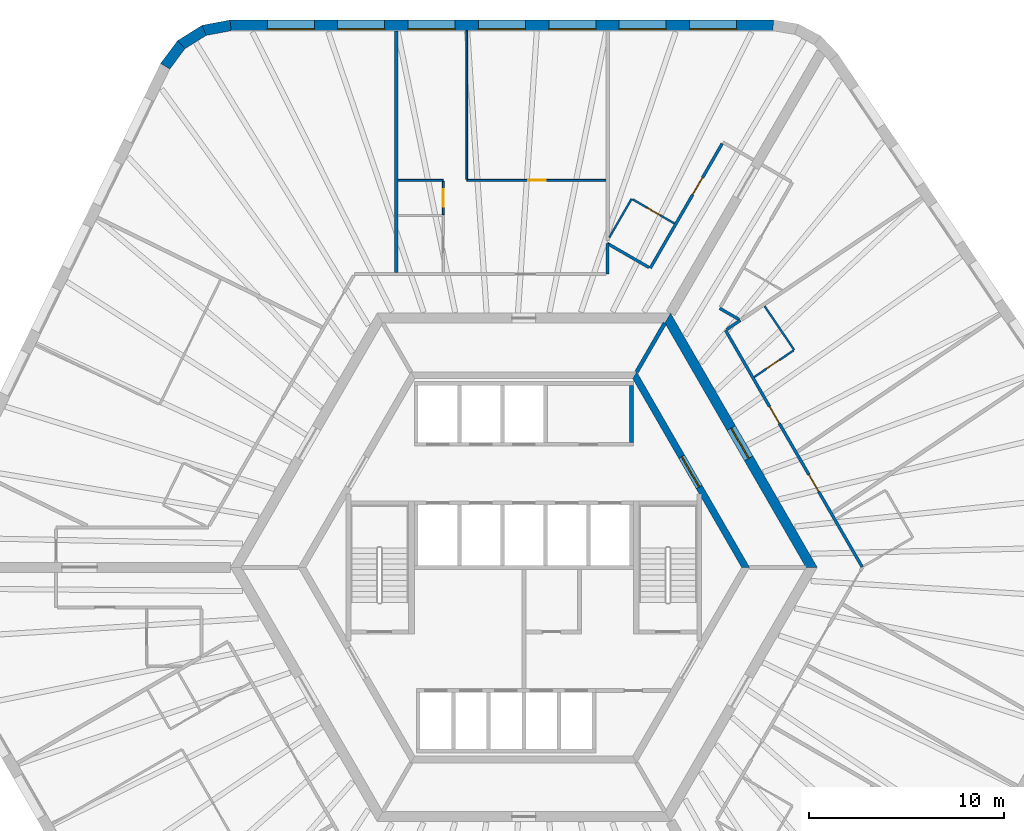
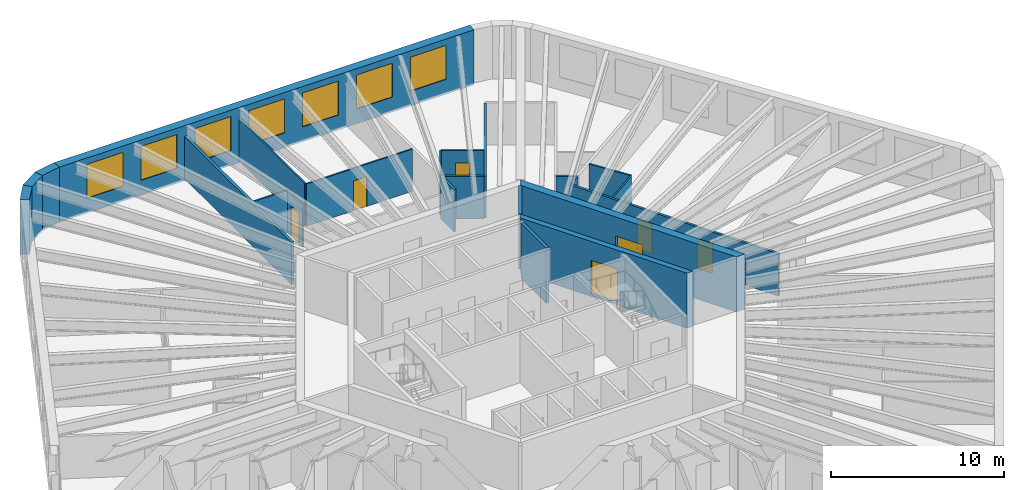
# One storey, part 8 of 10: 23 walls, 9 doors, 7 windows, 16 openings.
"""IFC4 building model written with IfcOpenShell, lengths in metres."""

from ifc_helpers import new_model, si_unit, direction, frame, frame_2d, origin, place, context, subcontext, project, spatial, polyline, rectangle, outline, extrude, material, layer, layer_set, type_object, element, fill, save


model = new_model("IFC4")

# Units and contexts
model_context = context("Model", 3, precision=1e-05, world=origin(), true_north=direction((0.0, 1.0)))
body_context = subcontext(model_context, "Body", "Model", "MODEL_VIEW")
ifc_project = project(units=[si_unit("LENGTHUNIT", "METRE"), si_unit("AREAUNIT", "SQUARE_METRE"), si_unit("VOLUMEUNIT", "CUBIC_METRE"), si_unit("PLANEANGLEUNIT", "RADIAN"), si_unit("MASSUNIT", "GRAM", prefix="KILO")], contexts=[model_context])

# Site, building, storey
site_placement = place(None, origin())
site = spatial("IfcSite", under=ifc_project, at=site_placement, CompositionType="ELEMENT")
building_placement = place(site_placement, origin())
building = spatial("IfcBuilding", under=site, at=building_placement, Name="Tarnside Tower", CompositionType="ELEMENT")
storey_placement = place(building_placement, frame((0.0, 0.0, 203.39990234375)))
storey = spatial("IfcBuildingStorey", under=building, at=storey_placement, Name="L48", CompositionType="ELEMENT", Elevation=203.39990234375)

# Wall
ifc_material_1 = material(Name="Gypsum board partition on steel studs", Category="steel")
ifc_layer_1 = layer(ifc_material_1, 0.10009765625)
ifc_layer_set_1 = layer_set([ifc_layer_1], Name="Bathroom wall 100")
wall_type_1 = type_object("IfcWallType", Name="Bathroom wall 100", PredefinedType="PARTITIONING", material=ifc_layer_set_1)
wall_1_placement = place(storey_placement, frame((4.3720703125, 16.872802734375, 0.0), z_axis=(0.0, 0.0, 1.0), x_axis=(0.500005641832, 0.866022146447, 0.0)))
element("IfcWall", 1, at=wall_1_placement, inside=storey, type_object=wall_type_1, Name="Bathroom wall 15050", PredefinedType="PARTITIONING", context=body_context, shape_type="SweptSolid", body=[
    extrude(rectangle(XDim=2.28857421875, YDim=0.10009765625, at=frame_2d((1.144287109375, 0.0))), origin(), (0.0, 0.0, 1.0), 2.98779296875),
])

# Wall, opening, door
wall_2_placement = place(storey_placement, frame((5.559814453125, 18.829833984375, 0.0), z_axis=(0.0, 0.0, 1.0), x_axis=(0.866006523861, -0.500032699561, 0.0)))
wall_2 = element("IfcWall", 2, at=wall_2_placement, inside=storey, type_object=wall_type_1, Name="Bathroom wall 15051", PredefinedType="PARTITIONING", context=body_context, shape_type="SweptSolid", body=[
    extrude(rectangle(XDim=2.474853515625, YDim=0.10009765625, at=frame_2d((1.2373046875, 0.0))), origin(), (0.0, 0.0, 1.0), 2.98779296875),
])
opening_1_placement = place(wall_2_placement, frame((0.85009765625, 0.0, 0.0)))
opening_1 = element("IfcOpeningElement", 3, at=opening_1_placement, cuts=wall_2, Name="Opening D-B1", PredefinedType="OPENING", context=body_context, shape_type="SweptSolid", body=[
    extrude(rectangle(XDim=0.800048828125, YDim=2.10009765625, at=frame_2d((0.39990234375, 1.050048828125))), frame((0.0, 0.06005859375, 0.0), z_axis=(0.0, -1.0, 0.0), x_axis=(1.0, 0.0, 0.0)), (0.0, 0.0, 1.0), 0.1201171875),
])
ifc_material_2 = material(Name="Timber door leaf", Category="wood")
door_type_1 = type_object("IfcDoorType", Name="Bathroom door 800", OperationType="NOTDEFINED", PredefinedType="DOOR", material=ifc_material_2)
door_1_placement = place(opening_1_placement, origin())
door_1 = element("IfcDoor", 4, at=door_1_placement, inside=storey, type_object=door_type_1, Name="Bathroom door 15002", OperationType="SINGLE_SWING_RIGHT", OverallHeight=2.10009765625, OverallWidth=0.800048828125, PredefinedType="DOOR", context=body_context, shape_type="SweptSolid", body=[
    extrude(rectangle(XDim=0.800048828125, YDim=2.10009765625, at=frame_2d((0.39990234375, 1.050048828125))), frame((0.0, 0.02490234375, 0.0), z_axis=(0.0, -1.0, 0.0), x_axis=(1.0, 0.0, 0.0)), (0.0, 0.0, 1.0), 0.050048828125),
])
fill(opening_1, door_1)

# Wall
wall_3_placement = place(storey_placement, frame((12.31689453125, 13.3642578125, 0.0), z_axis=(0.0, 0.0, 1.0), x_axis=(0.559203592691, -0.829030362485, 0.0)))
element("IfcWall", 5, at=wall_3_placement, inside=storey, type_object=wall_type_1, Name="Bathroom wall 15108", PredefinedType="PARTITIONING", context=body_context, shape_type="SweptSolid", body=[
    extrude(rectangle(XDim=2.7099609375, YDim=0.10009765625, at=frame_2d((1.35498046875, 0.0))), origin(), (0.0, 0.0, 1.0), 2.98779296875),
])

# Wall, opening, door
wall_4_placement = place(storey_placement, frame((13.790771484375, 11.089599609375, 0.0), z_axis=(0.0, 0.0, 1.0), x_axis=(-0.829056894888, -0.559164255866, 0.0)))
wall_4 = element("IfcWall", 6, at=wall_4_placement, inside=storey, type_object=wall_type_1, Name="Bathroom wall 15109", PredefinedType="PARTITIONING", context=body_context, shape_type="SweptSolid", body=[
    extrude(rectangle(XDim=2.4189453125, YDim=0.10009765625, at=frame_2d((1.20947265625, 0.0))), origin(), (0.0, 0.0, 1.0), 2.98779296875),
])
opening_2_placement = place(wall_4_placement, frame((0.85009765625, 0.0, 0.0)))
opening_2 = element("IfcOpeningElement", 7, at=opening_2_placement, cuts=wall_4, Name="Opening D-B1", PredefinedType="OPENING", context=body_context, shape_type="SweptSolid", body=[
    extrude(rectangle(XDim=0.800048828125, YDim=2.10009765625, at=frame_2d((0.39990234375, 1.050048828125))), frame((0.0, 0.06005859375, 0.0), z_axis=(0.0, -1.0, 0.0), x_axis=(1.0, 0.0, 0.0)), (0.0, 0.0, 1.0), 0.1201171875),
])
door_2_placement = place(opening_2_placement, origin())
door_2 = element("IfcDoor", 8, at=door_2_placement, inside=storey, type_object=door_type_1, Name="Bathroom door 15034", OperationType="SINGLE_SWING_LEFT", OverallHeight=2.10009765625, OverallWidth=0.800048828125, PredefinedType="DOOR", context=body_context, shape_type="SweptSolid", body=[
    extrude(rectangle(XDim=0.800048828125, YDim=2.10009765625, at=frame_2d((0.39990234375, 1.050048828125))), frame((0.0, 0.02490234375, 0.0), z_axis=(0.0, -1.0, 0.0), x_axis=(1.0, 0.0, 0.0)), (0.0, 0.0, 1.0), 0.050048828125),
])
fill(opening_2, door_2)

ifc_material_3 = material(Name="Concrete C50/60", Category="concrete")
ifc_layer_2 = layer(ifc_material_3, 0.35009765625)
ifc_layer_set_2 = layer_set([ifc_layer_2], Name="Core block wall 350 C50/60")
wall_type_2 = type_object("IfcWallType", Name="Core block wall 350 C50/60", PredefinedType="SHEAR", material=ifc_layer_set_2)
wall_5_placement = place(storey_placement, frame((11.344970703125, 0.0, -0.14990234375), z_axis=(0.0, 0.0, 1.0), x_axis=(-0.499995046907, 0.866028263435, 0.0)))
wall_5 = element("IfcWall", 9, at=wall_5_placement, inside=storey, type_object=wall_type_2, Name="L48 core block wall face 6", PredefinedType="SHEAR", context=body_context, shape_type="SweptSolid", body=[
    extrude(outline(polyline([(-0.10107421875, -0.175048828125), (11.44580078125, -0.175048828125), (11.24365234375, 0.175048828125), (0.10107421875, 0.175048828125), (-0.10107421875, -0.175048828125)])), origin(), (0.0, 0.0, 1.0), 3.89990234375),
])
opening_3_placement = place(wall_5_placement, frame((4.74365234375, 0.0, 0.14990234375)))
opening_3 = element("IfcOpeningElement", 10, at=opening_3_placement, cuts=wall_5, Name="Opening CD-LOB", PredefinedType="OPENING", context=body_context, shape_type="SweptSolid", body=[
    extrude(rectangle(XDim=1.800048828125, YDim=2.39990234375, at=frame_2d((0.89990234375, 1.199951171875))), frame((0.0, 0.18505859375, 0.0), z_axis=(0.0, -1.0, 0.0), x_axis=(1.0, 0.0, 0.0)), (0.0, 0.0, 1.0), 0.3701171875),
])
ifc_material_4 = material(Name="Steel fire door", Category="steel")
door_type_2 = type_object("IfcDoorType", Name="Lobby double door FD30S 1800x2400", OperationType="NOTDEFINED", PredefinedType="DOOR", material=ifc_material_4)
door_3_placement = place(opening_3_placement, origin())
door_3 = element("IfcDoor", 11, at=door_3_placement, inside=storey, type_object=door_type_2, Name="L48 lobby block door P2", OperationType="DOUBLE_DOOR_SINGLE_SWING", OverallHeight=2.39990234375, OverallWidth=1.800048828125, PredefinedType="DOOR", context=body_context, shape_type="SweptSolid", body=[
    extrude(rectangle(XDim=1.800048828125, YDim=2.39990234375, at=frame_2d((0.89990234375, 1.199951171875))), frame((0.0, 0.02490234375, 0.0), z_axis=(0.0, -1.0, 0.0), x_axis=(1.0, 0.0, 0.0)), (0.0, 0.0, 1.0), 0.050048828125),
])
fill(opening_3, door_3)

ifc_material_5 = material(Name="Concrete C70/85", Category="concrete")
ifc_layer_3 = layer(ifc_material_5, 0.5)
ifc_layer_set_3 = layer_set([ifc_layer_3], Name="Core wall Z2 500 C70/85")
wall_type_3 = type_object("IfcWallType", Name="Core wall Z2 500 C70/85", PredefinedType="SHEAR", material=ifc_layer_set_3)
wall_6_placement = place(storey_placement, frame((14.722412109375, 0.0, -0.14990234375), z_axis=(0.0, 0.0, 1.0), x_axis=(-0.50000571537, 0.866022103989, 0.0)))
wall_6 = element("IfcWall", 12, at=wall_6_placement, inside=storey, type_object=wall_type_3, Name="L48 core wall face 6", PredefinedType="SHEAR", context=body_context, shape_type="SweptSolid", body=[
    extrude(outline(polyline([(-0.144287109375, -0.25), (14.86669921875, -0.25), (14.578125, 0.25), (0.144287109375, 0.25), (-0.144287109375, -0.25)])), origin(), (0.0, 0.0, 1.0), 3.89990234375),
])
opening_4_placement = place(wall_6_placement, frame((6.432373046875, 0.0, 0.14990234375)))
opening_4 = element("IfcOpeningElement", 13, at=opening_4_placement, cuts=wall_6, Name="Opening CD-LOB", PredefinedType="OPENING", context=body_context, shape_type="SweptSolid", body=[
    extrude(rectangle(XDim=1.800048828125, YDim=2.39990234375, at=frame_2d((0.89990234375, 1.199951171875))), frame((0.0, 0.260009765625, 0.0), z_axis=(0.0, -1.0, 0.0), x_axis=(1.0, 0.0, 0.0)), (0.0, 0.0, 1.0), 0.52001953125),
])
door_4_placement = place(opening_4_placement, origin())
door_4 = element("IfcDoor", 14, at=door_4_placement, inside=storey, type_object=door_type_2, Name="L48 core door P2", OperationType="DOUBLE_DOOR_SINGLE_SWING", OverallHeight=2.39990234375, OverallWidth=1.800048828125, PredefinedType="DOOR", context=body_context, shape_type="SweptSolid", body=[
    extrude(rectangle(XDim=1.800048828125, YDim=2.39990234375, at=frame_2d((0.89990234375, 1.199951171875))), frame((0.0, 0.02490234375, 0.0), z_axis=(0.0, -1.0, 0.0), x_axis=(1.0, 0.0, 0.0)), (0.0, 0.0, 1.0), 0.050048828125),
])
fill(opening_4, door_4)

ifc_layer_4 = layer(ifc_material_1, 0.14990234375)
ifc_layer_set_4 = layer_set([ifc_layer_4], Name="Corridor wall 150 EI 60")
wall_type_4 = type_object("IfcWallType", Name="Corridor wall 150 EI 60", PredefinedType="PARTITIONING", material=ifc_layer_set_4)
wall_7_placement = place(storey_placement, frame((10.148681640625, 21.677978515625, 0.0), z_axis=(0.0, 0.0, 1.0), x_axis=(-0.500020076982, -0.866013812023, 0.0)))
wall_7 = element("IfcWall", 15, at=wall_7_placement, inside=storey, type_object=wall_type_4, Name="Corridor wall 15002", PredefinedType="PARTITIONING", context=body_context, shape_type="SweptSolid", body=[
    extrude(rectangle(XDim=7.361083984375, YDim=0.14990234375, at=frame_2d((3.6806640625, 0.0))), origin(), (0.0, 0.0, 1.0), 2.98779296875),
])
opening_5_placement = place(wall_7_placement, frame((2.01806640625, 0.0, 0.0)))
opening_5 = element("IfcOpeningElement", 16, at=opening_5_placement, cuts=wall_7, Name="Opening D-E1", PredefinedType="OPENING", context=body_context, shape_type="SweptSolid", body=[
    extrude(rectangle(XDim=1.0, YDim=2.10009765625, at=frame_2d((0.5, 1.050048828125))), frame((0.0, 0.0849609375, 0.0), z_axis=(0.0, -1.0, 0.0), x_axis=(1.0, 0.0, 0.0)), (0.0, 0.0, 1.0), 0.169921875),
])
door_type_3 = type_object("IfcDoorType", Name="Unit entrance door 1000 FD30S", OperationType="NOTDEFINED", PredefinedType="DOOR", material=ifc_material_2)
door_5_placement = place(opening_5_placement, origin())
door_5 = element("IfcDoor", 17, at=door_5_placement, inside=storey, type_object=door_type_3, Name="Unit door 15001", OperationType="SINGLE_SWING_LEFT", OverallHeight=2.10009765625, OverallWidth=1.0, PredefinedType="DOOR", context=body_context, shape_type="SweptSolid", body=[
    extrude(rectangle(XDim=1.0, YDim=2.10009765625, at=frame_2d((0.5, 1.050048828125))), frame((0.0, 0.02490234375, 0.0), z_axis=(0.0, -1.0, 0.0), x_axis=(1.0, 0.0, 0.0)), (0.0, 0.0, 1.0), 0.050048828125),
])
fill(opening_5, door_5)

# Walls
wall_8_placement = place(storey_placement, frame((6.403076171875, 15.340576171875, 0.0), z_axis=(0.0, 0.0, 1.0), x_axis=(-0.8660013066, 0.500041735226, 0.0)))
element("IfcWall", 18, at=wall_8_placement, inside=storey, type_object=wall_type_4, Name="Corridor wall 15004", PredefinedType="PARTITIONING", context=body_context, shape_type="SweptSolid", body=[
    extrude(rectangle(XDim=2.448974609375, YDim=0.14990234375, at=frame_2d((1.224609375, 0.0))), origin(), (0.0, 0.0, 1.0), 2.98779296875),
])
wall_9_placement = place(storey_placement, frame((4.2822265625, 16.569091796875, 0.0), z_axis=(0.0, 0.0, 1.0), x_axis=(0.0, -1.0, 0.0)))
element("IfcWall", 19, at=wall_9_placement, inside=storey, type_object=wall_type_4, Name="Corridor wall 15005", PredefinedType="PARTITIONING", context=body_context, shape_type="SweptSolid", body=[
    extrude(rectangle(XDim=1.569091796875, YDim=0.14990234375, at=frame_2d((0.78466796875, 0.0))), origin(), (0.0, 0.0, 1.0), 2.98779296875),
])

# Wall, openings, doors
wall_10_placement = place(storey_placement, frame((17.307861328125, 0.02197265625, 0.0), z_axis=(0.0, 0.0, 1.0), x_axis=(-0.500009245501, 0.866020065826, 0.0)))
wall_10 = element("IfcWall", 20, at=wall_10_placement, inside=storey, type_object=wall_type_4, Name="Corridor wall 15039", PredefinedType="PARTITIONING", context=body_context, shape_type="SweptSolid", body=[
    extrude(rectangle(XDim=13.976318359375, YDim=0.14990234375, at=frame_2d((6.98828125, 0.0))), origin(), (0.0, 0.0, 1.0), 2.98779296875),
])
opening_6_placement = place(wall_10_placement, frame((4.454345703125, 0.0, 0.0)))
opening_6 = element("IfcOpeningElement", 21, at=opening_6_placement, cuts=wall_10, Name="Opening D-E1", PredefinedType="OPENING", context=body_context, shape_type="SweptSolid", body=[
    extrude(rectangle(XDim=1.0, YDim=2.10009765625, at=frame_2d((0.5, 1.050048828125))), frame((0.0, 0.0849609375, 0.0), z_axis=(0.0, -1.0, 0.0), x_axis=(1.0, 0.0, 0.0)), (0.0, 0.0, 1.0), 0.169921875),
])
opening_7_placement = place(wall_10_placement, frame((8.470947265625, 0.0, 0.0)))
opening_7 = element("IfcOpeningElement", 22, at=opening_7_placement, cuts=wall_10, Name="Opening D-E1", PredefinedType="OPENING", context=body_context, shape_type="SweptSolid", body=[
    extrude(rectangle(XDim=1.0, YDim=2.10009765625, at=frame_2d((0.5, 1.050048828125))), frame((0.0, 0.0849609375, 0.0), z_axis=(0.0, -1.0, 0.0), x_axis=(1.0, 0.0, 0.0)), (0.0, 0.0, 1.0), 0.169921875),
])
door_6_placement = place(opening_6_placement, origin())
door_6 = element("IfcDoor", 23, at=door_6_placement, inside=storey, type_object=door_type_3, Name="Unit door 15032", OperationType="SINGLE_SWING_LEFT", OverallHeight=2.10009765625, OverallWidth=1.0, PredefinedType="DOOR", context=body_context, shape_type="SweptSolid", body=[
    extrude(rectangle(XDim=1.0, YDim=2.10009765625, at=frame_2d((0.5, 1.050048828125))), frame((0.0, 0.02490234375, 0.0), z_axis=(0.0, -1.0, 0.0), x_axis=(1.0, 0.0, 0.0)), (0.0, 0.0, 1.0), 0.050048828125),
])
fill(opening_6, door_6)
door_7_placement = place(opening_7_placement, origin())
door_7 = element("IfcDoor", 24, at=door_7_placement, inside=storey, type_object=door_type_3, Name="Unit door 15033", OperationType="SINGLE_SWING_RIGHT", OverallHeight=2.10009765625, OverallWidth=1.0, PredefinedType="DOOR", context=body_context, shape_type="SweptSolid", body=[
    extrude(rectangle(XDim=1.0, YDim=2.10009765625, at=frame_2d((0.5, 1.050048828125))), frame((0.0, 0.02490234375, 0.0), z_axis=(0.0, -1.0, 0.0), x_axis=(1.0, 0.0, 0.0)), (0.0, 0.0, 1.0), 0.050048828125),
])
fill(opening_7, door_7)

# Walls
wall_11_placement = place(storey_placement, frame((10.382080078125, 12.167724609375, 0.0), z_axis=(0.0, 0.0, 1.0), x_axis=(0.828935479655, 0.559344232623, 0.0)))
element("IfcWall", 25, at=wall_11_placement, inside=storey, type_object=wall_type_4, Name="Corridor wall 15045", PredefinedType="PARTITIONING", context=body_context, shape_type="SweptSolid", body=[
    extrude(rectangle(XDim=0.84765625, YDim=0.14990234375, at=frame_2d((0.423828125, 0.0))), origin(), (0.0, 0.0, 1.0), 2.98779296875),
])
wall_12_placement = place(storey_placement, frame((11.00927734375, 12.681396484375, 0.0), z_axis=(0.0, 0.0, 1.0), x_axis=(-0.86605406138, 0.499950360304, 0.0)))
element("IfcWall", 26, at=wall_12_placement, inside=storey, type_object=wall_type_4, Name="Corridor wall 15048", PredefinedType="PARTITIONING", context=body_context, shape_type="SweptSolid", body=[
    extrude(rectangle(XDim=1.1435546875, YDim=0.14990234375, at=frame_2d((0.57177734375, 0.0))), origin(), (0.0, 0.0, 1.0), 2.98779296875),
])
ifc_layer_5 = layer(ifc_material_1, 0.179931640625)
ifc_layer_set_5 = layer_set([ifc_layer_5], Name="Demising wall 180 EI 60")
wall_type_5 = type_object("IfcWallType", Name="Demising wall 180 EI 60", PredefinedType="PARTITIONING", material=ifc_layer_set_5)
wall_13_placement = place(storey_placement, frame((-6.517822265625, 27.449951171875, 0.0), z_axis=(0.0, 0.0, 1.0), x_axis=(0.0, -1.0, 0.0)))
element("IfcWall", 27, at=wall_13_placement, inside=storey, type_object=wall_type_5, Name="Demising wall 15059", PredefinedType="PARTITIONING", context=body_context, shape_type="SweptSolid", body=[
    extrude(rectangle(XDim=12.375, YDim=0.179931640625, at=frame_2d((6.1875, 0.0))), origin(), (0.0, 0.0, 1.0), 2.98779296875),
])
ifc_material_6 = material(Name="Concrete C40/50", Category="concrete")
ifc_layer_6 = layer(ifc_material_6, 0.199951171875)
ifc_layer_set_6 = layer_set([ifc_layer_6], Name="Lift shaft wall 200 C40/50")
wall_type_6 = type_object("IfcWallType", Name="Lift shaft wall 200 C40/50", PredefinedType="SHEAR", material=ifc_layer_set_6)
wall_14_placement = place(storey_placement, frame((5.5, 6.39990234375, -0.25), z_axis=(0.0, 0.0, 1.0), x_axis=(0.0, 1.0, 0.0)))
element("IfcWall", 28, at=wall_14_placement, inside=storey, type_object=wall_type_6, Name="L48 lift shaft partition R16", PredefinedType="SHEAR", context=body_context, shape_type="SweptSolid", body=[
    extrude(rectangle(XDim=2.900146484375, YDim=0.199951171875, at=frame_2d((1.4501953125, 0.0))), origin(), (0.0, 0.0, 1.0), 3.900146484375),
])
wall_15_placement = place(storey_placement, frame((5.7734375, 10.0, -0.14990234375), z_axis=(0.0, 0.0, 1.0), x_axis=(0.499995765644, 0.866027848477, 0.0)))
element("IfcWall", 29, at=wall_15_placement, inside=storey, type_object=wall_type_6, Name="L48 core partition AR60", PredefinedType="SHEAR", context=body_context, shape_type="SweptSolid", body=[
    extrude(rectangle(XDim=2.88671875, YDim=0.199951171875, at=frame_2d((1.443359375, 0.0))), origin(), (0.0, 0.0, 1.0), 3.89990234375),
])
ifc_layer_7 = layer(ifc_material_1, 0.10009765625)
ifc_layer_set_7 = layer_set([ifc_layer_7], Name="Partition 100")
wall_type_7 = type_object("IfcWallType", Name="Partition 100", PredefinedType="PARTITIONING", material=ifc_layer_set_7)
wall_16_placement = place(storey_placement, frame((-6.427978515625, 19.800048828125, 0.0), z_axis=(0.0, 0.0, 1.0), x_axis=(1.0, 0.0, 0.0)))
element("IfcWall", 30, at=wall_16_placement, inside=storey, type_object=wall_type_7, Name="Partition wall 15055", PredefinedType="PARTITIONING", context=body_context, shape_type="SweptSolid", body=[
    extrude(rectangle(XDim=2.31005859375, YDim=0.10009765625, at=frame_2d((1.155029296875, 0.0))), origin(), (0.0, 0.0, 1.0), 2.98779296875),
])

# Wall, opening, door
wall_17_placement = place(storey_placement, frame((-4.117919921875, 19.75, 0.0), z_axis=(0.0, 0.0, 1.0), x_axis=(0.0, -1.0, 0.0)))
wall_17 = element("IfcWall", 31, at=wall_17_placement, inside=storey, type_object=wall_type_7, Name="Partition wall 15056", PredefinedType="PARTITIONING", context=body_context, shape_type="SweptSolid", body=[
    extrude(rectangle(XDim=1.699951171875, YDim=0.10009765625, at=frame_2d((0.85009765625, 0.0))), origin(), (0.0, 0.0, 1.0), 2.98779296875),
])
opening_8_placement = place(wall_17_placement, frame((0.39990234375, 0.0, 0.0)))
opening_8 = element("IfcOpeningElement", 32, at=opening_8_placement, cuts=wall_17, Name="Opening D-I1", PredefinedType="OPENING", context=body_context, shape_type="SweptSolid", body=[
    extrude(rectangle(XDim=0.89990234375, YDim=2.10009765625, at=frame_2d((0.449951171875, 1.050048828125))), frame((0.0, 0.06005859375, 0.0), z_axis=(0.0, -1.0, 0.0), x_axis=(1.0, 0.0, 0.0)), (0.0, 0.0, 1.0), 0.1201171875),
])
door_type_4 = type_object("IfcDoorType", Name="Internal door 900", OperationType="NOTDEFINED", PredefinedType="DOOR", material=ifc_material_2)
door_8_placement = place(opening_8_placement, origin())
door_8 = element("IfcDoor", 33, at=door_8_placement, inside=storey, type_object=door_type_4, Name="Internal door 15005", OperationType="SINGLE_SWING_LEFT", OverallHeight=2.10009765625, OverallWidth=0.89990234375, PredefinedType="DOOR", context=body_context, shape_type="SweptSolid", body=[
    extrude(rectangle(XDim=0.89990234375, YDim=2.10009765625, at=frame_2d((0.449951171875, 1.050048828125))), frame((0.0, 0.02490234375, 0.0), z_axis=(0.0, -1.0, 0.0), x_axis=(1.0, 0.0, 0.0)), (0.0, 0.0, 1.0), 0.050048828125),
])
fill(opening_8, door_8)

wall_18_placement = place(storey_placement, frame((4.192138671875, 19.800048828125, 0.0), z_axis=(0.0, 0.0, 1.0), x_axis=(-1.0, 0.0, 0.0)))
wall_18 = element("IfcWall", 34, at=wall_18_placement, inside=storey, type_object=wall_type_7, Name="Partition wall 15057", PredefinedType="PARTITIONING", context=body_context, shape_type="SweptSolid", body=[
    extrude(rectangle(XDim=7.110107421875, YDim=0.10009765625, at=frame_2d((3.55517578125, 0.0))), origin(), (0.0, 0.0, 1.0), 2.98779296875),
])
opening_9_placement = place(wall_18_placement, frame((3.06005859375, 0.0, 0.0)))
opening_9 = element("IfcOpeningElement", 35, at=opening_9_placement, cuts=wall_18, Name="Opening D-I1", PredefinedType="OPENING", context=body_context, shape_type="SweptSolid", body=[
    extrude(rectangle(XDim=0.89990234375, YDim=2.10009765625, at=frame_2d((0.449951171875, 1.050048828125))), frame((0.0, 0.06005859375, 0.0), z_axis=(0.0, -1.0, 0.0), x_axis=(1.0, 0.0, 0.0)), (0.0, 0.0, 1.0), 0.1201171875),
])
door_9_placement = place(opening_9_placement, origin())
door_9 = element("IfcDoor", 36, at=door_9_placement, inside=storey, type_object=door_type_4, Name="Internal door 15006", OperationType="SINGLE_SWING_RIGHT", OverallHeight=2.10009765625, OverallWidth=0.89990234375, PredefinedType="DOOR", context=body_context, shape_type="SweptSolid", body=[
    extrude(rectangle(XDim=0.89990234375, YDim=2.10009765625, at=frame_2d((0.449951171875, 1.050048828125))), frame((0.0, 0.02490234375, 0.0), z_axis=(0.0, -1.0, 0.0), x_axis=(1.0, 0.0, 0.0)), (0.0, 0.0, 1.0), 0.050048828125),
])
fill(opening_9, door_9)

# Wall
wall_19_placement = place(storey_placement, frame((-2.91796875, 19.85009765625, 0.0), z_axis=(0.0, 0.0, 1.0), x_axis=(0.0, 1.0, 0.0)))
element("IfcWall", 37, at=wall_19_placement, inside=storey, type_object=wall_type_7, Name="Partition wall 15058", PredefinedType="PARTITIONING", context=body_context, shape_type="SweptSolid", body=[
    extrude(rectangle(XDim=7.599853515625, YDim=0.10009765625, at=frame_2d((3.7998046875, 0.0))), origin(), (0.0, 0.0, 1.0), 2.98779296875),
])

# Wall, openings, windows
ifc_material_7 = material(Name="Facing brick", Category="masonry")
ifc_layer_8 = layer(ifc_material_7, 0.10205078125)
ifc_material_8 = material(Name="Concrete C60/75 precast", Category="concrete")
ifc_layer_9 = layer(ifc_material_8, 0.347900390625)
ifc_material_9 = material(Name="Mineral wool insulation")
ifc_layer_10 = layer(ifc_material_9, 0.10009765625)
ifc_layer_set_8 = layer_set([ifc_layer_8, ifc_layer_9, ifc_layer_10], Name="Tube wall 550 brick faced")
wall_type_8 = type_object("IfcWallType", Name="Tube wall 550 brick faced", PredefinedType="SOLIDWALL", material=ifc_layer_set_8)
wall_20_placement = place(storey_placement, frame((12.760986328125, 27.72509765625, -0.14990234375), z_axis=(0.0, 0.0, 1.0), x_axis=(-1.0, 0.0, 0.0)))
wall_20 = element("IfcWall", 38, at=wall_20_placement, inside=storey, type_object=wall_type_8, Name="Tube wall L48 F1 flush 00", PredefinedType="SOLIDWALL", context=body_context, shape_type="SweptSolid", body=[
    extrude(outline(polyline([(-0.0224609375, -0.27490234375), (27.783447265625, -0.27490234375), (27.732177734375, 0.27490234375), (0.0224609375, 0.27490234375), (-0.0224609375, -0.27490234375)])), origin(), (0.0, 0.0, 1.0), 3.89990234375),
])
opening_10_placement = place(wall_20_placement, frame((1.87890625, 0.0, 1.050048828125)))
opening_10 = element("IfcOpeningElement", 39, at=opening_10_placement, cuts=wall_20, Name="Opening WH", PredefinedType="OPENING", context=body_context, shape_type="SweptSolid", body=[
    extrude(rectangle(XDim=2.39990234375, YDim=2.39990234375, at=frame_2d((1.199951171875, 1.199951171875))), frame((0.0, 0.28515625, 0.0), z_axis=(0.0, -1.0, 0.0), x_axis=(1.0, 0.0, 0.0)), (0.0, 0.0, 1.0), 0.570068359375),
])
opening_11_placement = place(wall_20_placement, frame((5.47900390625, 0.0, 1.050048828125)))
opening_11 = element("IfcOpeningElement", 40, at=opening_11_placement, cuts=wall_20, Name="Opening WH", PredefinedType="OPENING", context=body_context, shape_type="SweptSolid", body=[
    extrude(rectangle(XDim=2.39990234375, YDim=2.39990234375, at=frame_2d((1.199951171875, 1.199951171875))), frame((0.0, 0.28515625, 0.0), z_axis=(0.0, -1.0, 0.0), x_axis=(1.0, 0.0, 0.0)), (0.0, 0.0, 1.0), 0.570068359375),
])
opening_12_placement = place(wall_20_placement, frame((9.078857421875, 0.0, 1.050048828125)))
opening_12 = element("IfcOpeningElement", 41, at=opening_12_placement, cuts=wall_20, Name="Opening WH", PredefinedType="OPENING", context=body_context, shape_type="SweptSolid", body=[
    extrude(rectangle(XDim=2.39990234375, YDim=2.39990234375, at=frame_2d((1.199951171875, 1.199951171875))), frame((0.0, 0.28515625, 0.0), z_axis=(0.0, -1.0, 0.0), x_axis=(1.0, 0.0, 0.0)), (0.0, 0.0, 1.0), 0.570068359375),
])
opening_13_placement = place(wall_20_placement, frame((12.678955078125, 0.0, 1.050048828125)))
opening_13 = element("IfcOpeningElement", 42, at=opening_13_placement, cuts=wall_20, Name="Opening WH", PredefinedType="OPENING", context=body_context, shape_type="SweptSolid", body=[
    extrude(rectangle(XDim=2.39990234375, YDim=2.39990234375, at=frame_2d((1.199951171875, 1.199951171875))), frame((0.0, 0.28515625, 0.0), z_axis=(0.0, -1.0, 0.0), x_axis=(1.0, 0.0, 0.0)), (0.0, 0.0, 1.0), 0.570068359375),
])
opening_14_placement = place(wall_20_placement, frame((16.27880859375, 0.0, 1.050048828125)))
opening_14 = element("IfcOpeningElement", 43, at=opening_14_placement, cuts=wall_20, Name="Opening WH", PredefinedType="OPENING", context=body_context, shape_type="SweptSolid", body=[
    extrude(rectangle(XDim=2.39990234375, YDim=2.39990234375, at=frame_2d((1.199951171875, 1.199951171875))), frame((0.0, 0.28515625, 0.0), z_axis=(0.0, -1.0, 0.0), x_axis=(1.0, 0.0, 0.0)), (0.0, 0.0, 1.0), 0.570068359375),
])
opening_15_placement = place(wall_20_placement, frame((19.87890625, 0.0, 1.050048828125)))
opening_15 = element("IfcOpeningElement", 44, at=opening_15_placement, cuts=wall_20, Name="Opening WH", PredefinedType="OPENING", context=body_context, shape_type="SweptSolid", body=[
    extrude(rectangle(XDim=2.39990234375, YDim=2.39990234375, at=frame_2d((1.199951171875, 1.199951171875))), frame((0.0, 0.28515625, 0.0), z_axis=(0.0, -1.0, 0.0), x_axis=(1.0, 0.0, 0.0)), (0.0, 0.0, 1.0), 0.570068359375),
])
opening_16_placement = place(wall_20_placement, frame((23.47900390625, 0.0, 1.050048828125)))
opening_16 = element("IfcOpeningElement", 45, at=opening_16_placement, cuts=wall_20, Name="Opening WH", PredefinedType="OPENING", context=body_context, shape_type="SweptSolid", body=[
    extrude(rectangle(XDim=2.39990234375, YDim=2.39990234375, at=frame_2d((1.199951171875, 1.199951171875))), frame((0.0, 0.28515625, 0.0), z_axis=(0.0, -1.0, 0.0), x_axis=(1.0, 0.0, 0.0)), (0.0, 0.0, 1.0), 0.570068359375),
])
ifc_material_10 = material(Name="Aluminium-framed double glazing", Category="aluminium")
window_type = type_object("IfcWindowType", Name="Hotel window 2400 x 2400", PartitioningType="DOUBLE_PANEL_VERTICAL", PredefinedType="WINDOW", material=ifc_material_10)
window_1_placement = place(opening_10_placement, frame((0.0, 0.205078125, 0.0)))
window_1 = element("IfcWindow", 46, at=window_1_placement, inside=storey, type_object=window_type, Name="E.WN.L48.F1.00", OverallHeight=2.39990234375, OverallWidth=2.39990234375, PartitioningType="DOUBLE_PANEL_VERTICAL", PredefinedType="WINDOW", context=body_context, shape_type="SweptSolid", body=[
    extrude(rectangle(XDim=2.39990234375, YDim=2.39990234375, at=frame_2d((1.199951171875, 1.199951171875))), frame((0.0, 0.030029296875, 0.0), z_axis=(0.0, -1.0, 0.0), x_axis=(1.0, 0.0, 0.0)), (0.0, 0.0, 1.0), 0.06005859375),
])
fill(opening_10, window_1)
window_2_placement = place(opening_11_placement, frame((0.0, 0.205078125, 0.0)))
window_2 = element("IfcWindow", 47, at=window_2_placement, inside=storey, type_object=window_type, Name="E.WN.L48.F1.01", OverallHeight=2.39990234375, OverallWidth=2.39990234375, PartitioningType="DOUBLE_PANEL_VERTICAL", PredefinedType="WINDOW", context=body_context, shape_type="SweptSolid", body=[
    extrude(rectangle(XDim=2.39990234375, YDim=2.39990234375, at=frame_2d((1.199951171875, 1.199951171875))), frame((0.0, 0.030029296875, 0.0), z_axis=(0.0, -1.0, 0.0), x_axis=(1.0, 0.0, 0.0)), (0.0, 0.0, 1.0), 0.06005859375),
])
fill(opening_11, window_2)
window_3_placement = place(opening_12_placement, frame((0.0, 0.205078125, 0.0)))
window_3 = element("IfcWindow", 48, at=window_3_placement, inside=storey, type_object=window_type, Name="E.WN.L48.F1.02", OverallHeight=2.39990234375, OverallWidth=2.39990234375, PartitioningType="DOUBLE_PANEL_VERTICAL", PredefinedType="WINDOW", context=body_context, shape_type="SweptSolid", body=[
    extrude(rectangle(XDim=2.39990234375, YDim=2.39990234375, at=frame_2d((1.199951171875, 1.199951171875))), frame((0.0, 0.030029296875, 0.0), z_axis=(0.0, -1.0, 0.0), x_axis=(1.0, 0.0, 0.0)), (0.0, 0.0, 1.0), 0.06005859375),
])
fill(opening_12, window_3)
window_4_placement = place(opening_13_placement, frame((0.0, 0.205078125, 0.0)))
window_4 = element("IfcWindow", 49, at=window_4_placement, inside=storey, type_object=window_type, Name="E.WN.L48.F1.03", OverallHeight=2.39990234375, OverallWidth=2.39990234375, PartitioningType="DOUBLE_PANEL_VERTICAL", PredefinedType="WINDOW", context=body_context, shape_type="SweptSolid", body=[
    extrude(rectangle(XDim=2.39990234375, YDim=2.39990234375, at=frame_2d((1.199951171875, 1.199951171875))), frame((0.0, 0.030029296875, 0.0), z_axis=(0.0, -1.0, 0.0), x_axis=(1.0, 0.0, 0.0)), (0.0, 0.0, 1.0), 0.06005859375),
])
fill(opening_13, window_4)
window_5_placement = place(opening_14_placement, frame((0.0, 0.205078125, 0.0)))
window_5 = element("IfcWindow", 50, at=window_5_placement, inside=storey, type_object=window_type, Name="E.WN.L48.F1.04", OverallHeight=2.39990234375, OverallWidth=2.39990234375, PartitioningType="DOUBLE_PANEL_VERTICAL", PredefinedType="WINDOW", context=body_context, shape_type="SweptSolid", body=[
    extrude(rectangle(XDim=2.39990234375, YDim=2.39990234375, at=frame_2d((1.199951171875, 1.199951171875))), frame((0.0, 0.030029296875, 0.0), z_axis=(0.0, -1.0, 0.0), x_axis=(1.0, 0.0, 0.0)), (0.0, 0.0, 1.0), 0.06005859375),
])
fill(opening_14, window_5)
window_6_placement = place(opening_15_placement, frame((0.0, 0.205078125, 0.0)))
window_6 = element("IfcWindow", 51, at=window_6_placement, inside=storey, type_object=window_type, Name="E.WN.L48.F1.05", OverallHeight=2.39990234375, OverallWidth=2.39990234375, PartitioningType="DOUBLE_PANEL_VERTICAL", PredefinedType="WINDOW", context=body_context, shape_type="SweptSolid", body=[
    extrude(rectangle(XDim=2.39990234375, YDim=2.39990234375, at=frame_2d((1.199951171875, 1.199951171875))), frame((0.0, 0.030029296875, 0.0), z_axis=(0.0, -1.0, 0.0), x_axis=(1.0, 0.0, 0.0)), (0.0, 0.0, 1.0), 0.06005859375),
])
fill(opening_15, window_6)
window_7_placement = place(opening_16_placement, frame((0.0, 0.205078125, 0.0)))
window_7 = element("IfcWindow", 52, at=window_7_placement, inside=storey, type_object=window_type, Name="E.WN.L48.F1.06", OverallHeight=2.39990234375, OverallWidth=2.39990234375, PartitioningType="DOUBLE_PANEL_VERTICAL", PredefinedType="WINDOW", context=body_context, shape_type="SweptSolid", body=[
    extrude(rectangle(XDim=2.39990234375, YDim=2.39990234375, at=frame_2d((1.199951171875, 1.199951171875))), frame((0.0, 0.030029296875, 0.0), z_axis=(0.0, -1.0, 0.0), x_axis=(1.0, 0.0, 0.0)), (0.0, 0.0, 1.0), 0.06005859375),
])
fill(opening_16, window_7)

# Walls
wall_21_placement = place(storey_placement, frame((-14.996826171875, 27.72509765625, -0.14990234375), z_axis=(0.0, 0.0, 1.0), x_axis=(-0.982705443133, -0.185175624845, 0.0)))
element("IfcWall", 53, at=wall_21_placement, inside=storey, type_object=wall_type_8, Name="Tube wall L48 F1 chord 01", PredefinedType="SOLIDWALL", context=body_context, shape_type="SweptSolid", body=[
    extrude(outline(polyline([(-0.025634765625, -0.27490234375), (1.430908203125, -0.27490234375), (1.327392578125, 0.27490234375), (0.025634765625, 0.27490234375), (-0.025634765625, -0.27490234375)])), origin(), (0.0, 0.0, 1.0), 3.89990234375),
])
wall_22_placement = place(storey_placement, frame((-16.35205078125, 27.4697265625, -0.14990234375), z_axis=(0.0, 0.0, 1.0), x_axis=(-0.848057977594, -0.5299034503, 0.0)))
element("IfcWall", 54, at=wall_22_placement, inside=storey, type_object=wall_type_8, Name="Tube wall L48 F1 chord 02", PredefinedType="SOLIDWALL", context=body_context, shape_type="SweptSolid", body=[
    extrude(outline(polyline([(-0.0517578125, -0.27490234375), (1.4306640625, -0.27490234375), (1.3271484375, 0.27490234375), (0.0517578125, 0.27490234375), (-0.0517578125, -0.27490234375)])), origin(), (0.0, 0.0, 1.0), 3.89990234375),
])
wall_23_placement = place(storey_placement, frame((-17.521484375, 26.739013671875, -0.14990234375), z_axis=(0.0, 0.0, 1.0), x_axis=(-0.597135295884, -0.802140535324, 0.0)))
element("IfcWall", 55, at=wall_23_placement, inside=storey, type_object=wall_type_8, Name="Tube wall L48 F1 chord 03", PredefinedType="SOLIDWALL", context=body_context, shape_type="SweptSolid", body=[
    extrude(outline(polyline([(-0.0517578125, -0.27490234375), (1.40478515625, -0.27490234375), (1.353515625, 0.27490234375), (0.0517578125, 0.27490234375), (-0.0517578125, -0.27490234375)])), origin(), (0.0, 0.0, 1.0), 3.89990234375),
])

save(model, "model.ifc")
